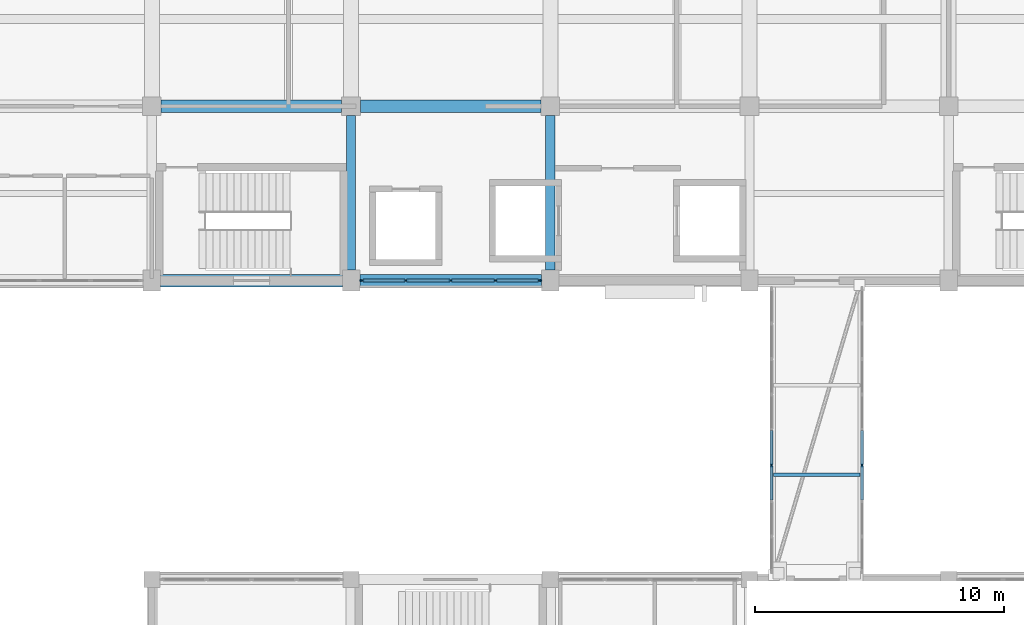
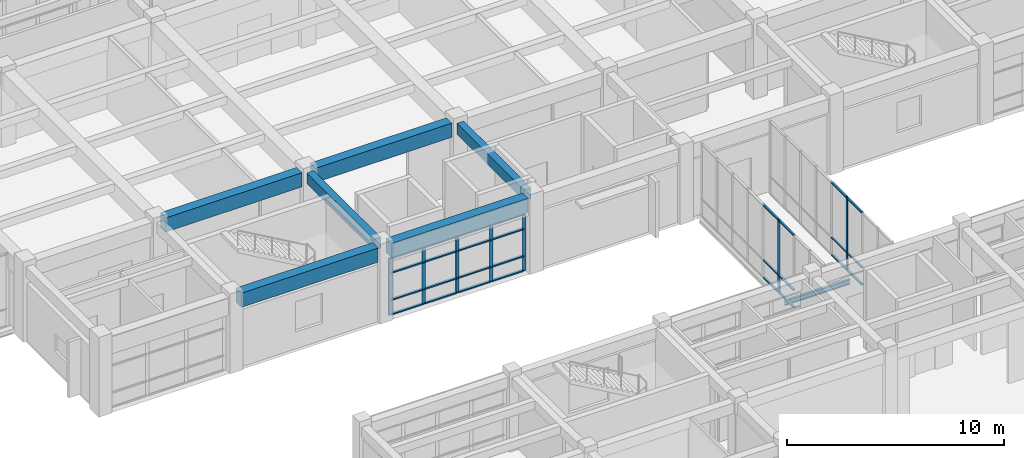
# One storey, part 24 of 72: 35 members, 7 beams, 3 elements without a shape of their own.
"""IFC4 building model written with IfcOpenShell, lengths in metres."""

from ifc_helpers import new_model, si_unit, direction, frame, origin, origin_2d, place, context, subcontext, project, spatial, rectangle, i_section, extrude, material, layer, layer_set, material_profile, profile_set, type_object, element, aggregate, save


model = new_model("IFC4")

# Units and contexts
model_context = context("Model", 3, precision=1e-05, world=origin(), true_north=direction((0.0, 1.0)))
body_context = subcontext(model_context, "Body", "Model", "MODEL_VIEW")
ifc_project = project(units=[si_unit("LENGTHUNIT", "METRE"), si_unit("AREAUNIT", "SQUARE_METRE"), si_unit("VOLUMEUNIT", "CUBIC_METRE"), si_unit("PLANEANGLEUNIT", "RADIAN"), si_unit("MASSUNIT", "GRAM", prefix="KILO")], contexts=[model_context])

# Site, building, storey
site_placement = place(None, origin())
site = spatial("IfcSite", under=ifc_project, at=site_placement, CompositionType="ELEMENT")
building_placement = place(site_placement, origin())
building = spatial("IfcBuilding", under=site, at=building_placement, Name="Naurynzar Civic Courthouse", CompositionType="ELEMENT")
storey_placement = place(building_placement, frame((0.0, 0.0, 9.89990234375)))
storey = spatial("IfcBuildingStorey", under=building, at=storey_placement, Name="L03", CompositionType="ELEMENT", Elevation=9.89990234375)

# Beams
ifc_material_1 = material(Name="Concrete C40/50", Category="concrete")
ifc_material_profile_1 = material_profile(ifc_material_1, rectangle(XDim=0.375, YDim=0.60009765625, at=origin_2d()), Name="RCB 375x600")
ifc_profile_set_1 = profile_set([ifc_material_profile_1], Name="Concrete C40/50")
beam_type_1 = type_object("IfcBeamType", Name="BM-RC-375x600", PredefinedType="BEAM", material=ifc_profile_set_1)
for number, where, z_axis, x_axis, name in (
    (1, (77.0, 44.425048828125, 3.900146484375), (0.0, 1.0, 0.0), (-1.0, 0.0, 0.0), "V2 girder Y-599 L03"),
    (2, (85.0, 44.425048828125, 3.900146484375), (0.0, 1.0, 0.0), (-1.0, 0.0, 0.0), "V2 girder Y-602 L03"),
):
    element("IfcBeam", number, at=place(storey_placement, frame(where, z_axis=z_axis, x_axis=x_axis)), inside=storey, type_object=beam_type_1, Name=name, PredefinedType="BEAM", context=body_context, shape_type="SweptSolid", body=[
        extrude(rectangle(XDim=0.375, YDim=0.60009765625, at=origin_2d()), origin(), (0.0, 0.0, 1.0), 6.199951171875),
    ])
ifc_material_2 = material(Name="Concrete C40/50", Category="concrete")
ifc_material_profile_2 = material_profile(ifc_material_2, rectangle(XDim=0.5, YDim=0.800048828125, at=origin_2d()), Name="RCB 500x800")
ifc_profile_set_2 = profile_set([ifc_material_profile_2], Name="Concrete C40/50")
beam_type_2 = type_object("IfcBeamType", Name="BM-RC-500x800", PredefinedType="BEAM", material=ifc_profile_set_2)
for number, where, z_axis, x_axis, name in (
    (3, (69.35009765625, 44.0, 3.800048828125), (1.0, 0.0, 0.0), (0.0, 1.0, 0.0), "V2 beam X-562 L03"),
    (4, (77.35009765625, 44.0, 3.800048828125), (1.0, 0.0, 0.0), (0.0, 1.0, 0.0), "V2 beam X-563 L03"),
):
    element("IfcBeam", number, at=place(storey_placement, frame(where, z_axis=z_axis, x_axis=x_axis)), inside=storey, type_object=beam_type_2, Name=name, PredefinedType="BEAM", context=body_context, shape_type="SweptSolid", body=[
        extrude(rectangle(XDim=0.5, YDim=0.800048828125, at=origin_2d()), origin(), (0.0, 0.0, 1.0), 7.2998046875),
    ])
for number, where, z_axis, x_axis, name in (
    (5, (69.375, 51.0, 3.800048828125), (1.0, 0.0, 0.0), (0.0, 1.0, 0.0), "V2 beam X-570 L03"),
    (6, (77.375, 51.0, 3.800048828125), (1.0, 0.0, 0.0), (0.0, 1.0, 0.0), "V2 beam X-571 L03"),
):
    element("IfcBeam", number, at=place(storey_placement, frame(where, z_axis=z_axis, x_axis=x_axis)), inside=storey, type_object=beam_type_2, Name=name, PredefinedType="BEAM", context=body_context, shape_type="SweptSolid", body=[
        extrude(rectangle(XDim=0.5, YDim=0.800048828125, at=origin_2d()), origin(), (0.0, 0.0, 1.0), 7.25),
    ])
ifc_material_3 = material(Name="Steel S355", Category="steel")
ifc_material_profile_3 = material_profile(ifc_material_3, i_section(OverallWidth=0.135009765625, OverallDepth=0.27001953125, WebThickness=0.006591796875, FlangeThickness=0.01025390625, FilletRadius=0.014892578125, at=origin_2d()), Name="IPE 270")
ifc_profile_set_3 = profile_set([ifc_material_profile_3], Name="Steel S355")
beam_type_3 = type_object("IfcBeamType", Name="BM-STL-IPE270", PredefinedType="BEAM", material=ifc_profile_set_3)
beam_placement = place(storey_placement, frame((93.969970703125, 36.2060546875, -0.375), z_axis=(1.0, 0.0, 0.0), x_axis=(0.0, 1.0, 0.0)))
element("IfcBeam", 7, at=beam_placement, inside=storey, type_object=beam_type_3, Name="BR-C1 deck cross-beam L03.1", PredefinedType="BEAM", context=body_context, shape_type="SweptSolid", body=[
    extrude(i_section(OverallWidth=0.135009765625, OverallDepth=0.27001953125, WebThickness=0.006591796875, FlangeThickness=0.01025390625, FilletRadius=0.014892578125, at=origin_2d()), origin(), (0.0, 0.0, 1.0), 3.4599609375),
])

# Curtain wall, member
ifc_material_4 = material(Name="Aluminium 6063-T6", Category="aluminium")
ifc_layer_1 = layer(ifc_material_4, 0.14990234375)
ifc_layer_set_1 = layer_set([ifc_layer_1], Name="CW-BRIDGE-1500")
curtain_wall_type_1 = type_object("IfcCurtainWallType", Name="CW-BRIDGE-1500", PredefinedType="USERDEFINED", material=ifc_layer_set_1)
curtain_wall_1_placement = place(storey_placement, origin())
curtain_wall_1 = element("IfcCurtainWall", 8, at=curtain_wall_1_placement, inside=storey, type_object=curtain_wall_type_1, Name="BR-C1 glazed bridge screen L03.1", ObjectType="GLAZED BRIDGE SCREEN", PredefinedType="USERDEFINED")
ifc_material_5 = material(Name="Aluminium 6063-T6", Category="aluminium")
ifc_material_profile_4 = material_profile(ifc_material_5, rectangle(XDim=0.06005859375, YDim=0.14990234375, at=origin_2d()), Name="ALU MULLION 60x150")
ifc_profile_set_4 = profile_set([ifc_material_profile_4], Name="Aluminium 6063-T6")
member_type_1 = type_object("IfcMemberType", Name="CWM-60x150", PredefinedType="MULLION", material=ifc_profile_set_4)
member_1_placement = place(storey_placement, frame((93.8798828125, 36.574951171875, 0.0), z_axis=(0.0, 0.0, 1.0), x_axis=(1.0, 0.0, 0.0)))
member_1 = element("IfcMember", 9, at=member_1_placement, type_object=member_type_1, Name="CW-03 mullion 6", PredefinedType="MULLION", context=body_context, shape_type="SweptSolid", body=[
    extrude(rectangle(XDim=0.06005859375, YDim=0.14990234375, at=origin_2d()), origin(), (0.0, 0.0, 1.0), 4.1201171875),
])

curtain_wall_2_placement = place(storey_placement, origin())
curtain_wall_2 = element("IfcCurtainWall", 10, at=curtain_wall_2_placement, inside=storey, type_object=curtain_wall_type_1, Name="BR-C1 glazed bridge screen L03.2", ObjectType="GLAZED BRIDGE SCREEN", PredefinedType="USERDEFINED")
member_2_placement = place(storey_placement, frame((97.52001953125, 36.574951171875, 0.0), z_axis=(0.0, 0.0, 1.0), x_axis=(-1.0, 0.0, 0.0)))
member_2 = element("IfcMember", 11, at=member_2_placement, type_object=member_type_1, Name="CW-03 mullion 4", PredefinedType="MULLION", context=body_context, shape_type="SweptSolid", body=[
    extrude(rectangle(XDim=0.06005859375, YDim=0.14990234375, at=origin_2d()), origin(), (0.0, 0.0, 1.0), 4.1201171875),
])

# Curtain wall, members
ifc_material_6 = material(Name="Aluminium 6063-T6", Category="aluminium")
ifc_layer_2 = layer(ifc_material_6, 0.159912109375)
ifc_layer_set_2 = layer_set([ifc_layer_2], Name="CW-UNIT-1800")
curtain_wall_type_2 = type_object("IfcCurtainWallType", Name="CW-UNIT-1800", PredefinedType="NOTDEFINED", material=ifc_layer_set_2)
curtain_wall_3_placement = place(storey_placement, origin())
curtain_wall_3 = element("IfcCurtainWall", 12, at=curtain_wall_3_placement, inside=storey, type_object=curtain_wall_type_2, Name="V2 unitised curtain wall 29 L03", PredefinedType="NOTDEFINED")
ifc_material_7 = material(Name="Aluminium 6063-T6", Category="aluminium")
ifc_material_profile_5 = material_profile(ifc_material_7, rectangle(XDim=0.070068359375, YDim=0.179931640625, at=origin_2d()), Name="ALU MULLION 70x180")
ifc_profile_set_5 = profile_set([ifc_material_profile_5], Name="Aluminium 6063-T6")
member_type_2 = type_object("IfcMemberType", Name="CWM-70x180", PredefinedType="MULLION", material=ifc_profile_set_5)
member_3_placement = place(storey_placement, frame((84.56494140625, 44.0, 0.0), z_axis=(0.0, 0.0, 1.0), x_axis=(0.0, -1.0, 0.0)))
member_3 = element("IfcMember", 13, at=member_3_placement, type_object=member_type_2, Name="CW-02 mullion 1", PredefinedType="MULLION", context=body_context, shape_type="SweptSolid", body=[
    extrude(rectangle(XDim=0.070068359375, YDim=0.179931640625, at=origin_2d()), origin(), (0.0, 0.0, 1.0), 3.22998046875),
])
member_4_placement = place(storey_placement, frame((82.800048828125, 44.0, 0.0), z_axis=(0.0, 0.0, 1.0), x_axis=(0.0, -1.0, 0.0)))
member_4 = element("IfcMember", 14, at=member_4_placement, type_object=member_type_2, Name="CW-02 mullion 2", PredefinedType="MULLION", context=body_context, shape_type="SweptSolid", body=[
    extrude(rectangle(XDim=0.070068359375, YDim=0.179931640625, at=origin_2d()), origin(), (0.0, 0.0, 1.0), 3.22998046875),
])
member_5_placement = place(storey_placement, frame((81.0, 44.0, 0.0), z_axis=(0.0, 0.0, 1.0), x_axis=(0.0, -1.0, 0.0)))
member_5 = element("IfcMember", 15, at=member_5_placement, type_object=member_type_2, Name="CW-02 mullion 3", PredefinedType="MULLION", context=body_context, shape_type="SweptSolid", body=[
    extrude(rectangle(XDim=0.070068359375, YDim=0.179931640625, at=origin_2d()), origin(), (0.0, 0.0, 1.0), 3.22998046875),
])
member_6_placement = place(storey_placement, frame((79.199951171875, 44.0, 0.0), z_axis=(0.0, 0.0, 1.0), x_axis=(0.0, -1.0, 0.0)))
member_6 = element("IfcMember", 16, at=member_6_placement, type_object=member_type_2, Name="CW-02 mullion 4", PredefinedType="MULLION", context=body_context, shape_type="SweptSolid", body=[
    extrude(rectangle(XDim=0.070068359375, YDim=0.179931640625, at=origin_2d()), origin(), (0.0, 0.0, 1.0), 3.22998046875),
])
member_7_placement = place(storey_placement, frame((77.43505859375, 44.0, 0.0), z_axis=(0.0, 0.0, 1.0), x_axis=(0.0, -1.0, 0.0)))
member_7 = element("IfcMember", 17, at=member_7_placement, type_object=member_type_2, Name="CW-02 mullion 5", PredefinedType="MULLION", context=body_context, shape_type="SweptSolid", body=[
    extrude(rectangle(XDim=0.070068359375, YDim=0.179931640625, at=origin_2d()), origin(), (0.0, 0.0, 1.0), 3.22998046875),
])

# Member
ifc_material_8 = material(Name="Aluminium 6063-T6", Category="aluminium")
ifc_material_profile_6 = material_profile(ifc_material_8, rectangle(XDim=0.110107421875, YDim=0.06005859375, at=origin_2d()), Name="ALU TRANSOM 60x110")
ifc_profile_set_6 = profile_set([ifc_material_profile_6], Name="Aluminium 6063-T6")
member_type_3 = type_object("IfcMemberType", Name="CWT-60x110", PredefinedType="USERDEFINED", material=ifc_profile_set_6)
member_8_placement = place(storey_placement, frame((93.8798828125, 37.969970703125, 0.030029296875), z_axis=(0.0, -1.0, 0.0), x_axis=(1.0, 0.0, 0.0)))
member_8 = element("IfcMember", 18, at=member_8_placement, type_object=member_type_3, Name="CW-03 transom 5.1", ObjectType="TRANSOM", PredefinedType="USERDEFINED", context=body_context, shape_type="SweptSolid", body=[
    extrude(rectangle(XDim=0.110107421875, YDim=0.06005859375, at=origin_2d()), origin(), (0.0, 0.0, 1.0), 1.364990234375),
])

member_9_placement = place(storey_placement, frame((93.8798828125, 37.969970703125, 1.0), z_axis=(0.0, -1.0, 0.0), x_axis=(1.0, 0.0, 0.0)))
member_9 = element("IfcMember", 19, at=member_9_placement, type_object=member_type_3, Name="CW-03 transom 5.2", ObjectType="TRANSOM", PredefinedType="USERDEFINED", context=body_context, shape_type="SweptSolid", body=[
    extrude(rectangle(XDim=0.110107421875, YDim=0.06005859375, at=origin_2d()), origin(), (0.0, 0.0, 1.0), 1.364990234375),
])

member_10_placement = place(storey_placement, frame((93.8798828125, 37.969970703125, 4.090087890625), z_axis=(0.0, -1.0, 0.0), x_axis=(1.0, 0.0, 0.0)))
member_10 = element("IfcMember", 20, at=member_10_placement, type_object=member_type_3, Name="CW-03 transom 5.3", ObjectType="TRANSOM", PredefinedType="USERDEFINED", context=body_context, shape_type="SweptSolid", body=[
    extrude(rectangle(XDim=0.110107421875, YDim=0.06005859375, at=origin_2d()), origin(), (0.0, 0.0, 1.0), 1.364990234375),
])

member_11_placement = place(storey_placement, frame((93.8798828125, 36.544921875, 0.030029296875), z_axis=(0.0, -1.0, 0.0), x_axis=(1.0, 0.0, 0.0)))
member_11 = element("IfcMember", 21, at=member_11_placement, type_object=member_type_3, Name="CW-03 transom 6.1", ObjectType="TRANSOM", PredefinedType="USERDEFINED", context=body_context, shape_type="SweptSolid", body=[
    extrude(rectangle(XDim=0.110107421875, YDim=0.06005859375, at=origin_2d()), origin(), (0.0, 0.0, 1.0), 1.364990234375),
])

member_12_placement = place(storey_placement, frame((93.8798828125, 36.544921875, 1.0), z_axis=(0.0, -1.0, 0.0), x_axis=(1.0, 0.0, 0.0)))
member_12 = element("IfcMember", 22, at=member_12_placement, type_object=member_type_3, Name="CW-03 transom 6.2", ObjectType="TRANSOM", PredefinedType="USERDEFINED", context=body_context, shape_type="SweptSolid", body=[
    extrude(rectangle(XDim=0.110107421875, YDim=0.06005859375, at=origin_2d()), origin(), (0.0, 0.0, 1.0), 1.364990234375),
])

member_13_placement = place(storey_placement, frame((93.8798828125, 36.544921875, 4.090087890625), z_axis=(0.0, -1.0, 0.0), x_axis=(1.0, 0.0, 0.0)))
member_13 = element("IfcMember", 23, at=member_13_placement, type_object=member_type_3, Name="CW-03 transom 6.3", ObjectType="TRANSOM", PredefinedType="USERDEFINED", context=body_context, shape_type="SweptSolid", body=[
    extrude(rectangle(XDim=0.110107421875, YDim=0.06005859375, at=origin_2d()), origin(), (0.0, 0.0, 1.0), 1.364990234375),
])

aggregate(curtain_wall_1, [member_1, member_8, member_9, member_10, member_11, member_12, member_13])

member_14_placement = place(storey_placement, frame((97.52001953125, 35.179931640625, 0.030029296875), z_axis=(0.0, 1.0, 0.0), x_axis=(-1.0, 0.0, 0.0)))
member_14 = element("IfcMember", 24, at=member_14_placement, type_object=member_type_3, Name="CW-03 transom 3.1", ObjectType="TRANSOM", PredefinedType="USERDEFINED", context=body_context, shape_type="SweptSolid", body=[
    extrude(rectangle(XDim=0.110107421875, YDim=0.06005859375, at=origin_2d()), origin(), (0.0, 0.0, 1.0), 1.364990234375),
])

member_15_placement = place(storey_placement, frame((97.52001953125, 35.179931640625, 1.0), z_axis=(0.0, 1.0, 0.0), x_axis=(-1.0, 0.0, 0.0)))
member_15 = element("IfcMember", 25, at=member_15_placement, type_object=member_type_3, Name="CW-03 transom 3.2", ObjectType="TRANSOM", PredefinedType="USERDEFINED", context=body_context, shape_type="SweptSolid", body=[
    extrude(rectangle(XDim=0.110107421875, YDim=0.06005859375, at=origin_2d()), origin(), (0.0, 0.0, 1.0), 1.364990234375),
])

member_16_placement = place(storey_placement, frame((97.52001953125, 35.179931640625, 4.090087890625), z_axis=(0.0, 1.0, 0.0), x_axis=(-1.0, 0.0, 0.0)))
member_16 = element("IfcMember", 26, at=member_16_placement, type_object=member_type_3, Name="CW-03 transom 3.3", ObjectType="TRANSOM", PredefinedType="USERDEFINED", context=body_context, shape_type="SweptSolid", body=[
    extrude(rectangle(XDim=0.110107421875, YDim=0.06005859375, at=origin_2d()), origin(), (0.0, 0.0, 1.0), 1.364990234375),
])

member_17_placement = place(storey_placement, frame((97.52001953125, 36.60498046875, 0.030029296875), z_axis=(0.0, 1.0, 0.0), x_axis=(-1.0, 0.0, 0.0)))
member_17 = element("IfcMember", 27, at=member_17_placement, type_object=member_type_3, Name="CW-03 transom 4.1", ObjectType="TRANSOM", PredefinedType="USERDEFINED", context=body_context, shape_type="SweptSolid", body=[
    extrude(rectangle(XDim=0.110107421875, YDim=0.06005859375, at=origin_2d()), origin(), (0.0, 0.0, 1.0), 1.364990234375),
])

member_18_placement = place(storey_placement, frame((97.52001953125, 36.60498046875, 1.0), z_axis=(0.0, 1.0, 0.0), x_axis=(-1.0, 0.0, 0.0)))
member_18 = element("IfcMember", 28, at=member_18_placement, type_object=member_type_3, Name="CW-03 transom 4.2", ObjectType="TRANSOM", PredefinedType="USERDEFINED", context=body_context, shape_type="SweptSolid", body=[
    extrude(rectangle(XDim=0.110107421875, YDim=0.06005859375, at=origin_2d()), origin(), (0.0, 0.0, 1.0), 1.364990234375),
])

member_19_placement = place(storey_placement, frame((97.52001953125, 36.60498046875, 4.090087890625), z_axis=(0.0, 1.0, 0.0), x_axis=(-1.0, 0.0, 0.0)))
member_19 = element("IfcMember", 29, at=member_19_placement, type_object=member_type_3, Name="CW-03 transom 4.3", ObjectType="TRANSOM", PredefinedType="USERDEFINED", context=body_context, shape_type="SweptSolid", body=[
    extrude(rectangle(XDim=0.110107421875, YDim=0.06005859375, at=origin_2d()), origin(), (0.0, 0.0, 1.0), 1.364990234375),
])

aggregate(curtain_wall_2, [member_2, member_14, member_15, member_16, member_17, member_18, member_19])

ifc_material_9 = material(Name="Aluminium 6063-T6", Category="aluminium")
ifc_material_profile_7 = material_profile(ifc_material_9, rectangle(XDim=0.1298828125, YDim=0.070068359375, at=origin_2d()), Name="ALU TRANSOM 70x130")
ifc_profile_set_7 = profile_set([ifc_material_profile_7], Name="Aluminium 6063-T6")
member_type_4 = type_object("IfcMemberType", Name="CWT-70x130", PredefinedType="USERDEFINED", material=ifc_profile_set_7)
member_20_placement = place(storey_placement, frame((84.530029296875, 44.0, 0.03515625), z_axis=(-1.0, 0.0, 0.0), x_axis=(0.0, -1.0, 0.0)))
member_20 = element("IfcMember", 30, at=member_20_placement, type_object=member_type_4, Name="CW-02 transom 1.1", ObjectType="TRANSOM", PredefinedType="USERDEFINED", context=body_context, shape_type="SweptSolid", body=[
    extrude(rectangle(XDim=0.1298828125, YDim=0.070068359375, at=origin_2d()), origin(), (0.0, 0.0, 1.0), 1.695068359375),
])

member_21_placement = place(storey_placement, frame((84.530029296875, 44.0, 0.85009765625), z_axis=(-1.0, 0.0, 0.0), x_axis=(0.0, -1.0, 0.0)))
member_21 = element("IfcMember", 31, at=member_21_placement, type_object=member_type_4, Name="CW-02 transom 1.2", ObjectType="TRANSOM", PredefinedType="USERDEFINED", context=body_context, shape_type="SweptSolid", body=[
    extrude(rectangle(XDim=0.1298828125, YDim=0.070068359375, at=origin_2d()), origin(), (0.0, 0.0, 1.0), 1.695068359375),
])

member_22_placement = place(storey_placement, frame((84.530029296875, 44.0, 2.380126953125), z_axis=(-1.0, 0.0, 0.0), x_axis=(0.0, -1.0, 0.0)))
member_22 = element("IfcMember", 32, at=member_22_placement, type_object=member_type_4, Name="CW-02 transom 1.3", ObjectType="TRANSOM", PredefinedType="USERDEFINED", context=body_context, shape_type="SweptSolid", body=[
    extrude(rectangle(XDim=0.1298828125, YDim=0.070068359375, at=origin_2d()), origin(), (0.0, 0.0, 1.0), 1.695068359375),
])

member_23_placement = place(storey_placement, frame((84.530029296875, 44.0, 3.195068359375), z_axis=(-1.0, 0.0, 0.0), x_axis=(0.0, -1.0, 0.0)))
member_23 = element("IfcMember", 33, at=member_23_placement, type_object=member_type_4, Name="CW-02 transom 1.4", ObjectType="TRANSOM", PredefinedType="USERDEFINED", context=body_context, shape_type="SweptSolid", body=[
    extrude(rectangle(XDim=0.1298828125, YDim=0.070068359375, at=origin_2d()), origin(), (0.0, 0.0, 1.0), 1.695068359375),
])

member_24_placement = place(storey_placement, frame((82.764892578125, 44.0, 0.03515625), z_axis=(-1.0, 0.0, 0.0), x_axis=(0.0, -1.0, 0.0)))
member_24 = element("IfcMember", 34, at=member_24_placement, type_object=member_type_4, Name="CW-02 transom 2.1", ObjectType="TRANSOM", PredefinedType="USERDEFINED", context=body_context, shape_type="SweptSolid", body=[
    extrude(rectangle(XDim=0.1298828125, YDim=0.070068359375, at=origin_2d()), origin(), (0.0, 0.0, 1.0), 1.72998046875),
])

member_25_placement = place(storey_placement, frame((82.764892578125, 44.0, 0.85009765625), z_axis=(-1.0, 0.0, 0.0), x_axis=(0.0, -1.0, 0.0)))
member_25 = element("IfcMember", 35, at=member_25_placement, type_object=member_type_4, Name="CW-02 transom 2.2", ObjectType="TRANSOM", PredefinedType="USERDEFINED", context=body_context, shape_type="SweptSolid", body=[
    extrude(rectangle(XDim=0.1298828125, YDim=0.070068359375, at=origin_2d()), origin(), (0.0, 0.0, 1.0), 1.72998046875),
])

member_26_placement = place(storey_placement, frame((82.764892578125, 44.0, 2.380126953125), z_axis=(-1.0, 0.0, 0.0), x_axis=(0.0, -1.0, 0.0)))
member_26 = element("IfcMember", 36, at=member_26_placement, type_object=member_type_4, Name="CW-02 transom 2.3", ObjectType="TRANSOM", PredefinedType="USERDEFINED", context=body_context, shape_type="SweptSolid", body=[
    extrude(rectangle(XDim=0.1298828125, YDim=0.070068359375, at=origin_2d()), origin(), (0.0, 0.0, 1.0), 1.72998046875),
])

member_27_placement = place(storey_placement, frame((82.764892578125, 44.0, 3.195068359375), z_axis=(-1.0, 0.0, 0.0), x_axis=(0.0, -1.0, 0.0)))
member_27 = element("IfcMember", 37, at=member_27_placement, type_object=member_type_4, Name="CW-02 transom 2.4", ObjectType="TRANSOM", PredefinedType="USERDEFINED", context=body_context, shape_type="SweptSolid", body=[
    extrude(rectangle(XDim=0.1298828125, YDim=0.070068359375, at=origin_2d()), origin(), (0.0, 0.0, 1.0), 1.72998046875),
])

member_28_placement = place(storey_placement, frame((80.965087890625, 44.0, 0.03515625), z_axis=(-1.0, 0.0, 0.0), x_axis=(0.0, -1.0, 0.0)))
member_28 = element("IfcMember", 38, at=member_28_placement, type_object=member_type_4, Name="CW-02 transom 3.1", ObjectType="TRANSOM", PredefinedType="USERDEFINED", context=body_context, shape_type="SweptSolid", body=[
    extrude(rectangle(XDim=0.1298828125, YDim=0.070068359375, at=origin_2d()), origin(), (0.0, 0.0, 1.0), 1.72998046875),
])

member_29_placement = place(storey_placement, frame((80.965087890625, 44.0, 0.85009765625), z_axis=(-1.0, 0.0, 0.0), x_axis=(0.0, -1.0, 0.0)))
member_29 = element("IfcMember", 39, at=member_29_placement, type_object=member_type_4, Name="CW-02 transom 3.2", ObjectType="TRANSOM", PredefinedType="USERDEFINED", context=body_context, shape_type="SweptSolid", body=[
    extrude(rectangle(XDim=0.1298828125, YDim=0.070068359375, at=origin_2d()), origin(), (0.0, 0.0, 1.0), 1.72998046875),
])

member_30_placement = place(storey_placement, frame((80.965087890625, 44.0, 2.380126953125), z_axis=(-1.0, 0.0, 0.0), x_axis=(0.0, -1.0, 0.0)))
member_30 = element("IfcMember", 40, at=member_30_placement, type_object=member_type_4, Name="CW-02 transom 3.3", ObjectType="TRANSOM", PredefinedType="USERDEFINED", context=body_context, shape_type="SweptSolid", body=[
    extrude(rectangle(XDim=0.1298828125, YDim=0.070068359375, at=origin_2d()), origin(), (0.0, 0.0, 1.0), 1.72998046875),
])

member_31_placement = place(storey_placement, frame((80.965087890625, 44.0, 3.195068359375), z_axis=(-1.0, 0.0, 0.0), x_axis=(0.0, -1.0, 0.0)))
member_31 = element("IfcMember", 41, at=member_31_placement, type_object=member_type_4, Name="CW-02 transom 3.4", ObjectType="TRANSOM", PredefinedType="USERDEFINED", context=body_context, shape_type="SweptSolid", body=[
    extrude(rectangle(XDim=0.1298828125, YDim=0.070068359375, at=origin_2d()), origin(), (0.0, 0.0, 1.0), 1.72998046875),
])

member_32_placement = place(storey_placement, frame((79.1650390625, 44.0, 0.03515625), z_axis=(-1.0, 0.0, 0.0), x_axis=(0.0, -1.0, 0.0)))
member_32 = element("IfcMember", 42, at=member_32_placement, type_object=member_type_4, Name="CW-02 transom 4.1", ObjectType="TRANSOM", PredefinedType="USERDEFINED", context=body_context, shape_type="SweptSolid", body=[
    extrude(rectangle(XDim=0.1298828125, YDim=0.070068359375, at=origin_2d()), origin(), (0.0, 0.0, 1.0), 1.695068359375),
])

member_33_placement = place(storey_placement, frame((79.1650390625, 44.0, 0.85009765625), z_axis=(-1.0, 0.0, 0.0), x_axis=(0.0, -1.0, 0.0)))
member_33 = element("IfcMember", 43, at=member_33_placement, type_object=member_type_4, Name="CW-02 transom 4.2", ObjectType="TRANSOM", PredefinedType="USERDEFINED", context=body_context, shape_type="SweptSolid", body=[
    extrude(rectangle(XDim=0.1298828125, YDim=0.070068359375, at=origin_2d()), origin(), (0.0, 0.0, 1.0), 1.695068359375),
])

member_34_placement = place(storey_placement, frame((79.1650390625, 44.0, 2.380126953125), z_axis=(-1.0, 0.0, 0.0), x_axis=(0.0, -1.0, 0.0)))
member_34 = element("IfcMember", 44, at=member_34_placement, type_object=member_type_4, Name="CW-02 transom 4.3", ObjectType="TRANSOM", PredefinedType="USERDEFINED", context=body_context, shape_type="SweptSolid", body=[
    extrude(rectangle(XDim=0.1298828125, YDim=0.070068359375, at=origin_2d()), origin(), (0.0, 0.0, 1.0), 1.695068359375),
])

member_35_placement = place(storey_placement, frame((79.1650390625, 44.0, 3.195068359375), z_axis=(-1.0, 0.0, 0.0), x_axis=(0.0, -1.0, 0.0)))
member_35 = element("IfcMember", 45, at=member_35_placement, type_object=member_type_4, Name="CW-02 transom 4.4", ObjectType="TRANSOM", PredefinedType="USERDEFINED", context=body_context, shape_type="SweptSolid", body=[
    extrude(rectangle(XDim=0.1298828125, YDim=0.070068359375, at=origin_2d()), origin(), (0.0, 0.0, 1.0), 1.695068359375),
])

aggregate(curtain_wall_3, [member_3, member_4, member_5, member_6, member_7, member_20, member_21, member_22, member_23, member_24, member_25, member_26, member_27, member_28, member_29, member_30, member_31, member_32, member_33, member_34, member_35])

save(model, "model.ifc")
